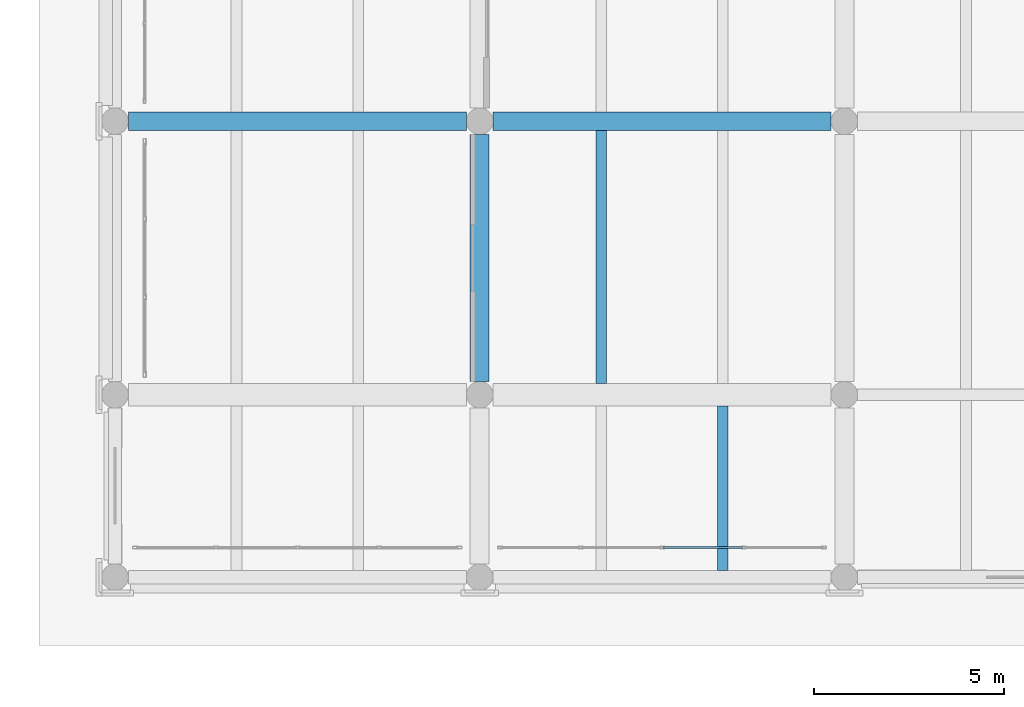
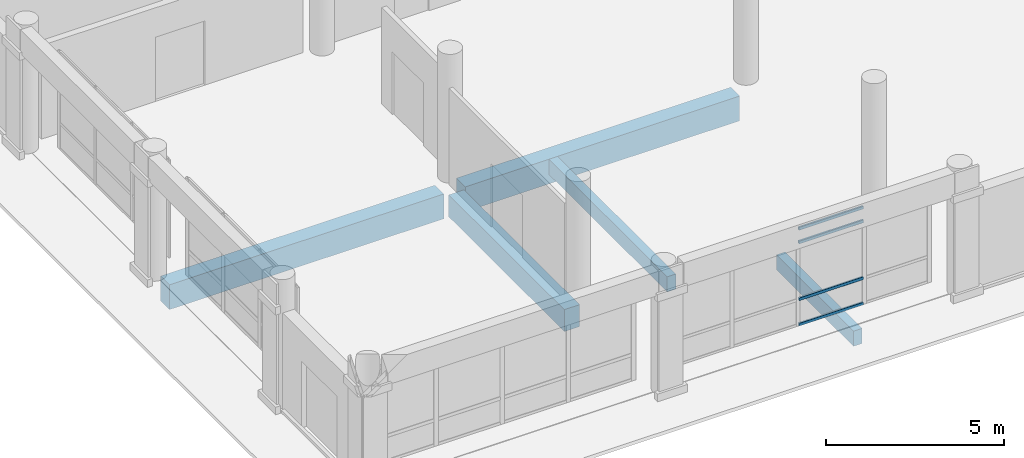
# One storey, part 24 of 196: 5 beams, 4 members, 1 element without a shape of its own.
"""IFC4 building model written with IfcOpenShell, lengths in metres."""

import ifcopenshell
import ifcopenshell.guid

model = None  # the IFC model being written
_history = None  # IfcOwnerHistory: only IFC2X3 demands one
_inside = {}  # id of a spatial element -> (the spatial element, [elements in it])
_under = {}  # id of a project, library or spatial element -> (it, [spatial elements below it])
_declared = {}  # id of a project -> (the project, [libraries it declares])
_typed = {}  # id of a type object -> (the type object, [elements of that type])
_made_of = {}  # id of a material, layer set ... -> (it, [elements and type objects made of it])


def new_model(schema):
    """Start an empty IFC model of exactly this schema.

    Asked for "IFC4X3", IfcOpenShell would pick the latest addendum, in which some entities
    have other attributes; the version numbers below select the first issue.
    IFC2X3 requires an IfcOwnerHistory on every rooted entity: one is made here for all.
    """
    global model, _history
    if schema == "IFC4X3":
        model = ifcopenshell.file(schema_version=(4, 3, 0, 0))
    else:
        model = ifcopenshell.file(schema=schema)
    _inside.clear()
    _under.clear()
    _declared.clear()
    _typed.clear()
    _made_of.clear()
    _history = None
    if model.schema == "IFC2X3":
        org = make("IfcOrganization", Name="unknown")
        user = make(
            "IfcPersonAndOrganization",
            ThePerson=make("IfcPerson", FamilyName="unknown"),
            TheOrganization=org,
        )
        app = make(
            "IfcApplication",
            ApplicationDeveloper=org,
            Version="unknown",
            ApplicationFullName="unknown",
            ApplicationIdentifier="unknown",
        )
        _history = make(
            "IfcOwnerHistory",
            OwningUser=user,
            OwningApplication=app,
            ChangeAction="ADDED",
            CreationDate=0,
        )
    return model


def make(cls, **values):
    """One entity of the class cls with the attributes given. An attribute that is None is left unset."""
    return model.create_entity(
        cls, **{name: value for name, value in values.items() if value is not None}
    )


def rooted(cls, **values):
    """An entity with a GlobalId (a new one), such as an element, a storey or a relation."""
    return make(cls, GlobalId=ifcopenshell.guid.new(), OwnerHistory=_history, **values)


def si_unit(unit_type, name, prefix=None):
    """IfcSIUnit, for example si_unit("LENGTHUNIT", "METRE", prefix="MILLI")."""
    return make("IfcSIUnit", UnitType=unit_type, Prefix=prefix, Name=name)


def assignment(units):
    """IfcUnitAssignment: the units of a project."""
    return None if units is None else make("IfcUnitAssignment", Units=units)


def point(xyz):
    """IfcCartesianPoint."""
    return None if xyz is None else make("IfcCartesianPoint", Coordinates=xyz)


def direction(xyz):
    """IfcDirection."""
    return None if xyz is None else make("IfcDirection", DirectionRatios=xyz)


def frame(location, z_axis=None, x_axis=None):
    """IfcAxis2Placement3D, a coordinate frame: its origin and axes. An axis left out is left unset."""
    return make(
        "IfcAxis2Placement3D",
        Location=point(location),
        Axis=direction(z_axis),
        RefDirection=direction(x_axis),
    )


def frame_2d(location, x_axis=None):
    """IfcAxis2Placement2D, a coordinate frame in the plane: its origin and x axis."""
    return make(
        "IfcAxis2Placement2D", Location=point(location), RefDirection=direction(x_axis)
    )


def origin():
    """The frame at (0, 0, 0) with its axes left unset."""
    return frame((0.0, 0.0, 0.0))


def origin_2d():
    """The frame at (0, 0) in the plane with its x axis left unset."""
    return frame_2d((0.0, 0.0))


def place(relative_to, where):
    """IfcLocalPlacement: puts the frame where relative to a parent placement (None: the world)."""
    return make(
        "IfcLocalPlacement", PlacementRelTo=relative_to, RelativePlacement=where
    )


def context(
    kind, dimensions, precision=None, world=None, true_north=None, identifier=None
):
    """IfcGeometricRepresentationContext, for example the 3D "Model" context."""
    return make(
        "IfcGeometricRepresentationContext",
        ContextIdentifier=identifier,
        ContextType=kind,
        CoordinateSpaceDimension=dimensions,
        Precision=precision,
        WorldCoordinateSystem=world,
        TrueNorth=true_north,
    )


def subcontext(parent, identifier, kind, view, scale=None):
    """IfcGeometricRepresentationSubContext, for example "Body" below "Model"."""
    return make(
        "IfcGeometricRepresentationSubContext",
        ContextIdentifier=identifier,
        ContextType=kind,
        ParentContext=parent,
        TargetScale=scale,
        TargetView=view,
    )


def project(units=None, contexts=None):
    """IfcProject with its units and contexts."""
    return rooted(
        "IfcProject",
        Name="project",
        RepresentationContexts=contexts,
        UnitsInContext=assignment(units),
    )


def spatial(cls, under=None, at=None, **own):
    """A site, building, storey or space (cls), placed at a placement, below another one or the project."""
    s = rooted(cls, ObjectPlacement=at, **own)
    if under is not None:
        _under.setdefault(under.id(), (under, []))[1].append(s)
    return s


def profile(cls, at=None, kind="AREA", **sizes):
    """A parametric profile (cls). Its sizes go by their IFC names, for example OverallWidth=200.0."""
    return make(cls, ProfileType=kind, Position=at, **sizes)


def rectangle(**sizes):
    """IfcRectangleProfileDef."""
    return profile("IfcRectangleProfileDef", **sizes)


def hollow_rectangle(**sizes):
    """IfcRectangleHollowProfileDef."""
    return profile("IfcRectangleHollowProfileDef", **sizes)


def extrude(swept, where, along, depth):
    """IfcExtrudedAreaSolid: the profile swept, set in the frame where, extruded along a direction by depth."""
    return make(
        "IfcExtrudedAreaSolid",
        SweptArea=swept,
        Position=where,
        ExtrudedDirection=direction(along),
        Depth=depth,
    )


def shape(context_of_items, identifier, shape_type, items):
    """IfcShapeRepresentation: the items that make up one representation, for example the "Body"."""
    return make(
        "IfcShapeRepresentation",
        ContextOfItems=context_of_items,
        RepresentationIdentifier=identifier,
        RepresentationType=shape_type,
        Items=items,
    )


def material(Name=None, Category=None):
    """IfcMaterial."""
    return make("IfcMaterial", Name=Name, Category=Category)


def layer(
    of_material, thickness, ventilated=None, Name=None, Category=None, Priority=None
):
    """IfcMaterialLayer: one layer of a wall or slab, of a material (None: an air gap)."""
    return make(
        "IfcMaterialLayer",
        Material=of_material,
        LayerThickness=thickness,
        IsVentilated=ventilated,
        Name=Name,
        Category=Category,
        Priority=Priority,
    )


def layer_set(layers, Name=None):
    """IfcMaterialLayerSet."""
    return make("IfcMaterialLayerSet", MaterialLayers=layers, LayerSetName=Name)


def material_profile(
    of_material, cross_section, Name=None, Category=None, Priority=None
):
    """IfcMaterialProfile: a cross section and its material."""
    return make(
        "IfcMaterialProfile",
        Name=Name,
        Material=of_material,
        Profile=cross_section,
        Priority=Priority,
        Category=Category,
    )


def profile_set(profiles, Name=None, composite=None):
    """IfcMaterialProfileSet."""
    return make(
        "IfcMaterialProfileSet",
        Name=Name,
        MaterialProfiles=profiles,
        CompositeProfile=composite,
    )


def made_of(thing, what):
    """Note that an element or type object is made of a material, layer set ...; save() writes the relation."""
    if what is not None:
        _made_of.setdefault(what.id(), (what, []))[1].append(thing)
    return thing


def type_object(cls, material=None, **own):
    """A type object (cls), such as IfcWallType, which elements share."""
    return made_of(rooted(cls, **own), material)


def element(
    cls,
    number,
    at=None,
    inside=None,
    cuts=None,
    type_object=None,
    material=None,
    context=None,
    identifier="Body",
    shape_type=None,
    held_by="IfcProductDefinitionShape",
    body=None,
    shapes=None,
    **own,
):
    """One element of the class cls, such as IfcWall. Its Tag is "e" and its number.

    at: its placement. inside: the storey or other place that contains it. cuts: it is an
    opening in that element (IfcRelVoidsElement). A single representation is given by context,
    identifier, shape_type and body (its items); several are given by shapes. held_by: the class
    of the entity that holds the representations. save() writes the other relations.
    """
    e = rooted(cls, Tag="e%d" % number, ObjectPlacement=at, **own)
    if body is not None:
        shapes = [shape(context, identifier, shape_type, body)]
    if shapes is not None:
        e.Representation = make(held_by, Representations=shapes)
    if inside is not None:
        _inside.setdefault(inside.id(), (inside, []))[1].append(e)
    if cuts is not None:
        rooted(
            "IfcRelVoidsElement", RelatingBuildingElement=cuts, RelatedOpeningElement=e
        )
    if type_object is not None:
        _typed.setdefault(type_object.id(), (type_object, []))[1].append(e)
    return made_of(e, material)


def aggregate(whole, parts):
    """IfcRelAggregates: a whole, such as a stair, and the parts it consists of."""
    return rooted("IfcRelAggregates", RelatingObject=whole, RelatedObjects=parts)


def save(model, path):
    """Write the relations noted so far, then the file.

    IfcRelAggregates (storeys below a building ...), IfcRelContainedInSpatialStructure (elements
    in a storey), IfcRelDefinesByType, IfcRelAssociatesMaterial and IfcRelDeclares: one each for
    every whole, place, type object, material and project.
    """
    for whole, parts in _under.values():
        aggregate(whole, parts)
    for where, things in _inside.values():
        rooted(
            "IfcRelContainedInSpatialStructure",
            RelatedElements=things,
            RelatingStructure=where,
        )
    for kind, things in _typed.values():
        rooted("IfcRelDefinesByType", RelatedObjects=things, RelatingType=kind)
    for what, things in _made_of.values():
        rooted("IfcRelAssociatesMaterial", RelatedObjects=things, RelatingMaterial=what)
    for by, libraries in _declared.values():
        rooted("IfcRelDeclares", RelatingContext=by, RelatedDefinitions=libraries)
    model.write(path)


model = new_model("IFC4")

# Units and contexts
model_context = context("Model", 3, precision=1e-05, world=origin(), true_north=direction((0.0, 1.0)))
body_context = subcontext(model_context, "Body", "Model", "MODEL_VIEW")
ifc_project = project(units=[si_unit("LENGTHUNIT", "METRE"), si_unit("AREAUNIT", "SQUARE_METRE"), si_unit("VOLUMEUNIT", "CUBIC_METRE"), si_unit("PLANEANGLEUNIT", "RADIAN"), si_unit("MASSUNIT", "GRAM", prefix="KILO")], contexts=[model_context])

# Site, building, storey
site_placement = place(None, origin())
site = spatial("IfcSite", under=ifc_project, at=site_placement, CompositionType="ELEMENT")
building_placement = place(site_placement, origin())
building = spatial("IfcBuilding", under=site, at=building_placement, Name="Asteropetra Specialist Clinic", CompositionType="ELEMENT")
storey_placement = place(building_placement, origin())
storey = spatial("IfcBuildingStorey", under=building, at=storey_placement, Name="L00", CompositionType="ELEMENT", Elevation=0.0)

# Beams
ifc_material_1 = material(Name="Concrete C35/45", Category="concrete")
ifc_material_profile_1 = material_profile(ifc_material_1, rectangle(XDim=0.5, YDim=0.75, at=origin_2d()), Name="RCB 500x750")
ifc_profile_set_1 = profile_set([ifc_material_profile_1], Name="Concrete C35/45")
beam_type_1 = type_object("IfcBeamType", Name="BM-RC500x750", PredefinedType="BEAM", material=ifc_profile_set_1)
beam_1_placement = place(storey_placement, frame((9.60009765625, 5.14990234375, -0.715087890625), z_axis=(0.0, 1.0, 0.0), x_axis=(-1.0, 0.0, 0.0)))
element("IfcBeam", 1, at=beam_1_placement, inside=storey, type_object=beam_type_1, Name="Beam BBM04-0051", PredefinedType="BEAM", context=body_context, shape_type="SweptSolid", body=[
    extrude(rectangle(XDim=0.5, YDim=0.75, at=origin_2d()), origin(), (0.0, 0.0, 1.0), 6.5),
])
ifc_material_2 = material(Name="Concrete C35/45", Category="concrete")
ifc_material_profile_2 = material_profile(ifc_material_2, rectangle(XDim=0.5, YDim=0.85009765625, at=origin_2d()), Name="RCB 500x850")
ifc_profile_set_2 = profile_set([ifc_material_profile_2], Name="Concrete C35/45")
beam_type_2 = type_object("IfcBeamType", Name="BM-RC500x850", PredefinedType="BEAM", material=ifc_profile_set_2)
beam_2_placement = place(storey_placement, frame((0.35009765625, 12.0, -0.764892578125), z_axis=(1.0, 0.0, 0.0), x_axis=(0.0, 1.0, 0.0)))
element("IfcBeam", 2, at=beam_2_placement, inside=storey, type_object=beam_type_2, Name="Beam BBM03-0013", PredefinedType="BEAM", context=body_context, shape_type="SweptSolid", body=[
    extrude(rectangle(XDim=0.5, YDim=0.85009765625, at=origin_2d()), origin(), (0.0, 0.0, 1.0), 8.89990234375),
])
beam_3_placement = place(storey_placement, frame((9.949951171875, 12.0, -0.764892578125), z_axis=(1.0, 0.0, 0.0), x_axis=(0.0, 1.0, 0.0)))
element("IfcBeam", 3, at=beam_3_placement, inside=storey, type_object=beam_type_2, Name="Beam BBM03-0014", PredefinedType="BEAM", context=body_context, shape_type="SweptSolid", body=[
    extrude(rectangle(XDim=0.5, YDim=0.85009765625, at=origin_2d()), origin(), (0.0, 0.0, 1.0), 8.900146484375),
])

# Curtain wall, members
ifc_material_3 = material(Name="Aluminium and low-E glass", Category="aluminium")
ifc_layer = layer(ifc_material_3, 0.179931640625)
ifc_layer_set = layer_set([ifc_layer], Name="Aluminium and low-E glass")
curtain_wall_type = type_object("IfcCurtainWallType", Name="CW-SYS-10", PredefinedType="USERDEFINED", material=ifc_layer_set)
curtain_wall_placement = place(storey_placement, origin())
curtain_wall = element("IfcCurtainWall", 4, at=curtain_wall_placement, inside=storey, type_object=curtain_wall_type, Name="Curtain Wall CW-122", ObjectType="STICK GLAZED COLONNADE", PredefinedType="USERDEFINED")
ifc_material_4 = material(Name="Aluminium 6063-T6", Category="aluminium")
ifc_material_profile_3 = material_profile(ifc_material_4, hollow_rectangle(XDim=0.06005859375, YDim=0.10009765625, WallThickness=0.00341796875, InnerFilletRadius=0.00341796875, OuterFilletRadius=0.007080078125, at=origin_2d()), Name="TRN 100x60x3.5")
ifc_profile_set_3 = profile_set([ifc_material_profile_3], Name="Aluminium 6063-T6")
member_type = type_object("IfcMemberType", Name="CWT-100x60", PredefinedType="USERDEFINED", material=ifc_profile_set_3)
member_1_placement = place(storey_placement, frame((14.429931640625, 0.780029296875, 0.030029296875), z_axis=(1.0, 0.0, 0.0), x_axis=(0.0, 1.0, 0.0)))
member_1 = element("IfcMember", 5, at=member_1_placement, type_object=member_type, Name="CW-122 transom 3.1", ObjectType="TRANSOM", PredefinedType="USERDEFINED", context=body_context, shape_type="SweptSolid", body=[
    extrude(hollow_rectangle(XDim=0.06005859375, YDim=0.10009765625, WallThickness=0.00341796875, InnerFilletRadius=0.00341796875, OuterFilletRadius=0.007080078125, at=origin_2d()), origin(), (0.0, 0.0, 1.0), 2.0849609375),
])
member_2_placement = place(storey_placement, frame((14.429931640625, 0.780029296875, 0.89990234375), z_axis=(1.0, 0.0, 0.0), x_axis=(0.0, 1.0, 0.0)))
member_2 = element("IfcMember", 6, at=member_2_placement, type_object=member_type, Name="CW-122 transom 3.2", ObjectType="TRANSOM", PredefinedType="USERDEFINED", context=body_context, shape_type="SweptSolid", body=[
    extrude(hollow_rectangle(XDim=0.06005859375, YDim=0.10009765625, WallThickness=0.00341796875, InnerFilletRadius=0.00341796875, OuterFilletRadius=0.007080078125, at=origin_2d()), origin(), (0.0, 0.0, 1.0), 2.0849609375),
])
member_3_placement = place(storey_placement, frame((14.429931640625, 0.780029296875, 2.85009765625), z_axis=(1.0, 0.0, 0.0), x_axis=(0.0, 1.0, 0.0)))
member_3 = element("IfcMember", 7, at=member_3_placement, type_object=member_type, Name="CW-122 transom 3.3", ObjectType="TRANSOM", PredefinedType="USERDEFINED", context=body_context, shape_type="SweptSolid", body=[
    extrude(hollow_rectangle(XDim=0.06005859375, YDim=0.10009765625, WallThickness=0.00341796875, InnerFilletRadius=0.00341796875, OuterFilletRadius=0.007080078125, at=origin_2d()), origin(), (0.0, 0.0, 1.0), 2.0849609375),
])
member_4_placement = place(storey_placement, frame((14.429931640625, 0.780029296875, 3.320068359375), z_axis=(1.0, 0.0, 0.0), x_axis=(0.0, 1.0, 0.0)))
member_4 = element("IfcMember", 8, at=member_4_placement, type_object=member_type, Name="CW-122 transom 3.4", ObjectType="TRANSOM", PredefinedType="USERDEFINED", context=body_context, shape_type="SweptSolid", body=[
    extrude(hollow_rectangle(XDim=0.06005859375, YDim=0.10009765625, WallThickness=0.00341796875, InnerFilletRadius=0.00341796875, OuterFilletRadius=0.007080078125, at=origin_2d()), origin(), (0.0, 0.0, 1.0), 2.0849609375),
])
aggregate(curtain_wall, [member_1, member_2, member_3, member_4])

# Beams
ifc_material_5 = material(Name="Concrete C35/45", Category="concrete")
ifc_material_profile_4 = material_profile(ifc_material_5, rectangle(XDim=0.280029296875, YDim=0.52001953125, at=origin_2d()), Name="RCJ 280x520")
ifc_profile_set_4 = profile_set([ifc_material_profile_4], Name="Concrete C35/45")
beam_type_3 = type_object("IfcBeamType", Name="JST-RC280x520", PredefinedType="JOIST", material=ifc_profile_set_4)
beam_4_placement = place(storey_placement, frame((16.0, 0.175048828125, -0.60009765625), z_axis=(0.0, 1.0, 0.0), x_axis=(-1.0, 0.0, 0.0)))
element("IfcBeam", 9, at=beam_4_placement, inside=storey, type_object=beam_type_3, Name="Joist JJST01-0041", PredefinedType="JOIST", context=body_context, shape_type="SweptSolid", body=[
    extrude(rectangle(XDim=0.280029296875, YDim=0.52001953125, at=origin_2d()), origin(), (0.0, 0.0, 1.0), 4.324951171875),
])
beam_5_placement = place(storey_placement, frame((12.800048828125, 5.10009765625, -0.60009765625), z_axis=(0.0, 1.0, 0.0), x_axis=(-1.0, 0.0, 0.0)))
element("IfcBeam", 10, at=beam_5_placement, inside=storey, type_object=beam_type_3, Name="Joist JJST01-0059", PredefinedType="JOIST", context=body_context, shape_type="SweptSolid", body=[
    extrude(rectangle(XDim=0.280029296875, YDim=0.52001953125, at=origin_2d()), origin(), (0.0, 0.0, 1.0), 6.64990234375),
])

save(model, "model.ifc")
